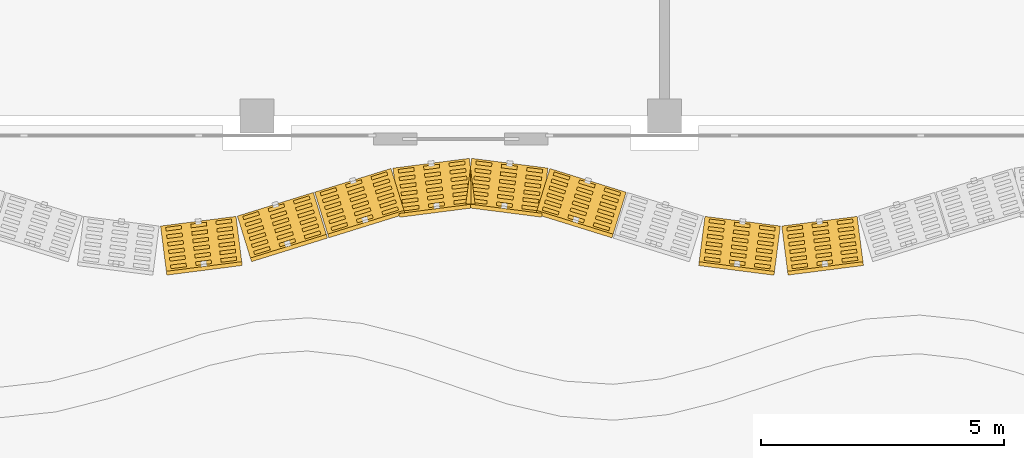
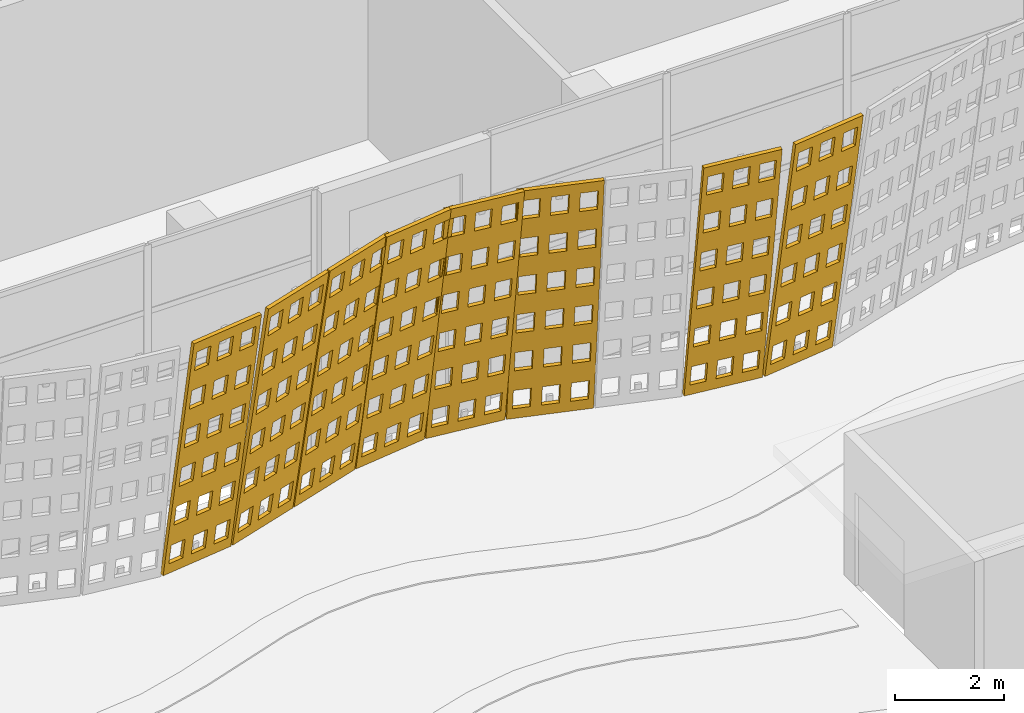
# One storey, part 166 of 210: 8 coverings.
"""IFC4 building model written with IfcOpenShell, lengths in metres."""

import ifcopenshell
import ifcopenshell.guid

model = None  # the IFC model being written
_history = None  # IfcOwnerHistory: only IFC2X3 demands one
_inside = {}  # id of a spatial element -> (the spatial element, [elements in it])
_under = {}  # id of a project, library or spatial element -> (it, [spatial elements below it])
_declared = {}  # id of a project -> (the project, [libraries it declares])
_typed = {}  # id of a type object -> (the type object, [elements of that type])
_made_of = {}  # id of a material, layer set ... -> (it, [elements and type objects made of it])


def new_model(schema):
    """Start an empty IFC model of exactly this schema.

    Asked for "IFC4X3", IfcOpenShell would pick the latest addendum, in which some entities
    have other attributes; the version numbers below select the first issue.
    IFC2X3 requires an IfcOwnerHistory on every rooted entity: one is made here for all.
    """
    global model, _history
    if schema == "IFC4X3":
        model = ifcopenshell.file(schema_version=(4, 3, 0, 0))
    else:
        model = ifcopenshell.file(schema=schema)
    _inside.clear()
    _under.clear()
    _declared.clear()
    _typed.clear()
    _made_of.clear()
    _history = None
    if model.schema == "IFC2X3":
        org = make("IfcOrganization", Name="unknown")
        user = make(
            "IfcPersonAndOrganization",
            ThePerson=make("IfcPerson", FamilyName="unknown"),
            TheOrganization=org,
        )
        app = make(
            "IfcApplication",
            ApplicationDeveloper=org,
            Version="unknown",
            ApplicationFullName="unknown",
            ApplicationIdentifier="unknown",
        )
        _history = make(
            "IfcOwnerHistory",
            OwningUser=user,
            OwningApplication=app,
            ChangeAction="ADDED",
            CreationDate=0,
        )
    return model


def make(cls, **values):
    """One entity of the class cls with the attributes given. An attribute that is None is left unset."""
    return model.create_entity(
        cls, **{name: value for name, value in values.items() if value is not None}
    )


def rooted(cls, **values):
    """An entity with a GlobalId (a new one), such as an element, a storey or a relation."""
    return make(cls, GlobalId=ifcopenshell.guid.new(), OwnerHistory=_history, **values)


def si_unit(unit_type, name, prefix=None):
    """IfcSIUnit, for example si_unit("LENGTHUNIT", "METRE", prefix="MILLI")."""
    return make("IfcSIUnit", UnitType=unit_type, Prefix=prefix, Name=name)


def assignment(units):
    """IfcUnitAssignment: the units of a project."""
    return None if units is None else make("IfcUnitAssignment", Units=units)


def point(xyz):
    """IfcCartesianPoint."""
    return None if xyz is None else make("IfcCartesianPoint", Coordinates=xyz)


def direction(xyz):
    """IfcDirection."""
    return None if xyz is None else make("IfcDirection", DirectionRatios=xyz)


def frame(location, z_axis=None, x_axis=None):
    """IfcAxis2Placement3D, a coordinate frame: its origin and axes. An axis left out is left unset."""
    return make(
        "IfcAxis2Placement3D",
        Location=point(location),
        Axis=direction(z_axis),
        RefDirection=direction(x_axis),
    )


def origin():
    """The frame at (0, 0, 0) with its axes left unset."""
    return frame((0.0, 0.0, 0.0))


def place(relative_to, where):
    """IfcLocalPlacement: puts the frame where relative to a parent placement (None: the world)."""
    return make(
        "IfcLocalPlacement", PlacementRelTo=relative_to, RelativePlacement=where
    )


def context(
    kind, dimensions, precision=None, world=None, true_north=None, identifier=None
):
    """IfcGeometricRepresentationContext, for example the 3D "Model" context."""
    return make(
        "IfcGeometricRepresentationContext",
        ContextIdentifier=identifier,
        ContextType=kind,
        CoordinateSpaceDimension=dimensions,
        Precision=precision,
        WorldCoordinateSystem=world,
        TrueNorth=true_north,
    )


def subcontext(parent, identifier, kind, view, scale=None):
    """IfcGeometricRepresentationSubContext, for example "Body" below "Model"."""
    return make(
        "IfcGeometricRepresentationSubContext",
        ContextIdentifier=identifier,
        ContextType=kind,
        ParentContext=parent,
        TargetScale=scale,
        TargetView=view,
    )


def project(units=None, contexts=None):
    """IfcProject with its units and contexts."""
    return rooted(
        "IfcProject",
        Name="project",
        RepresentationContexts=contexts,
        UnitsInContext=assignment(units),
    )


def spatial(cls, under=None, at=None, **own):
    """A site, building, storey or space (cls), placed at a placement, below another one or the project."""
    s = rooted(cls, ObjectPlacement=at, **own)
    if under is not None:
        _under.setdefault(under.id(), (under, []))[1].append(s)
    return s


def polyline(points):
    """IfcPolyline through the points."""
    return make("IfcPolyline", Points=[point(p) for p in points])


def outline(outer, holes=None, kind="AREA"):
    """IfcArbitraryClosedProfileDef: a profile drawn as a closed curve; with holes, ...WithVoids."""
    if holes is None:
        return make("IfcArbitraryClosedProfileDef", ProfileType=kind, OuterCurve=outer)
    return make(
        "IfcArbitraryProfileDefWithVoids",
        ProfileType=kind,
        OuterCurve=outer,
        InnerCurves=holes,
    )


def extrude(swept, where, along, depth):
    """IfcExtrudedAreaSolid: the profile swept, set in the frame where, extruded along a direction by depth."""
    return make(
        "IfcExtrudedAreaSolid",
        SweptArea=swept,
        Position=where,
        ExtrudedDirection=direction(along),
        Depth=depth,
    )


def shape(context_of_items, identifier, shape_type, items):
    """IfcShapeRepresentation: the items that make up one representation, for example the "Body"."""
    return make(
        "IfcShapeRepresentation",
        ContextOfItems=context_of_items,
        RepresentationIdentifier=identifier,
        RepresentationType=shape_type,
        Items=items,
    )


def material(Name=None, Category=None):
    """IfcMaterial."""
    return make("IfcMaterial", Name=Name, Category=Category)


def layer(
    of_material, thickness, ventilated=None, Name=None, Category=None, Priority=None
):
    """IfcMaterialLayer: one layer of a wall or slab, of a material (None: an air gap)."""
    return make(
        "IfcMaterialLayer",
        Material=of_material,
        LayerThickness=thickness,
        IsVentilated=ventilated,
        Name=Name,
        Category=Category,
        Priority=Priority,
    )


def layer_set(layers, Name=None):
    """IfcMaterialLayerSet."""
    return make("IfcMaterialLayerSet", MaterialLayers=layers, LayerSetName=Name)


def made_of(thing, what):
    """Note that an element or type object is made of a material, layer set ...; save() writes the relation."""
    if what is not None:
        _made_of.setdefault(what.id(), (what, []))[1].append(thing)
    return thing


def type_object(cls, material=None, **own):
    """A type object (cls), such as IfcWallType, which elements share."""
    return made_of(rooted(cls, **own), material)


def element(
    cls,
    number,
    at=None,
    inside=None,
    cuts=None,
    type_object=None,
    material=None,
    context=None,
    identifier="Body",
    shape_type=None,
    held_by="IfcProductDefinitionShape",
    body=None,
    shapes=None,
    **own,
):
    """One element of the class cls, such as IfcWall. Its Tag is "e" and its number.

    at: its placement. inside: the storey or other place that contains it. cuts: it is an
    opening in that element (IfcRelVoidsElement). A single representation is given by context,
    identifier, shape_type and body (its items); several are given by shapes. held_by: the class
    of the entity that holds the representations. save() writes the other relations.
    """
    e = rooted(cls, Tag="e%d" % number, ObjectPlacement=at, **own)
    if body is not None:
        shapes = [shape(context, identifier, shape_type, body)]
    if shapes is not None:
        e.Representation = make(held_by, Representations=shapes)
    if inside is not None:
        _inside.setdefault(inside.id(), (inside, []))[1].append(e)
    if cuts is not None:
        rooted(
            "IfcRelVoidsElement", RelatingBuildingElement=cuts, RelatedOpeningElement=e
        )
    if type_object is not None:
        _typed.setdefault(type_object.id(), (type_object, []))[1].append(e)
    return made_of(e, material)


def aggregate(whole, parts):
    """IfcRelAggregates: a whole, such as a stair, and the parts it consists of."""
    return rooted("IfcRelAggregates", RelatingObject=whole, RelatedObjects=parts)


def save(model, path):
    """Write the relations noted so far, then the file.

    IfcRelAggregates (storeys below a building ...), IfcRelContainedInSpatialStructure (elements
    in a storey), IfcRelDefinesByType, IfcRelAssociatesMaterial and IfcRelDeclares: one each for
    every whole, place, type object, material and project.
    """
    for whole, parts in _under.values():
        aggregate(whole, parts)
    for where, things in _inside.values():
        rooted(
            "IfcRelContainedInSpatialStructure",
            RelatedElements=things,
            RelatingStructure=where,
        )
    for kind, things in _typed.values():
        rooted("IfcRelDefinesByType", RelatedObjects=things, RelatingType=kind)
    for what, things in _made_of.values():
        rooted("IfcRelAssociatesMaterial", RelatedObjects=things, RelatingMaterial=what)
    for by, libraries in _declared.values():
        rooted("IfcRelDeclares", RelatingContext=by, RelatedDefinitions=libraries)
    model.write(path)


model = new_model("IFC4")

# Units and contexts
model_context = context("Model", 3, precision=1e-05, world=origin(), true_north=direction((0.0, 1.0)))
body_context = subcontext(model_context, "Body", "Model", "MODEL_VIEW")
ifc_project = project(units=[si_unit("LENGTHUNIT", "METRE"), si_unit("AREAUNIT", "SQUARE_METRE"), si_unit("VOLUMEUNIT", "CUBIC_METRE"), si_unit("PLANEANGLEUNIT", "RADIAN"), si_unit("MASSUNIT", "GRAM", prefix="KILO")], contexts=[model_context])

# Site, building, storey
site_placement = place(None, origin())
site = spatial("IfcSite", under=ifc_project, at=site_placement, CompositionType="ELEMENT")
building_placement = place(site_placement, origin())
building = spatial("IfcBuilding", under=site, at=building_placement, Name="Rain Tree Exposition and Congress Centre", CompositionType="ELEMENT")
storey_placement = place(building_placement, origin())
storey = spatial("IfcBuildingStorey", under=building, at=storey_placement, Name="L00", CompositionType="ELEMENT", Elevation=0.0)

# Coverings
ifc_material = material(Name="Perforated terracotta", Category="masonry")
ifc_layer = layer(ifc_material, 0.080078125)
ifc_layer_set = layer_set([ifc_layer], Name="Perforated terracotta")
covering_type = type_object("IfcCoveringType", Name="Terracotta screen 80", PredefinedType="CLADDING", material=ifc_layer_set)
covering_1_placement = place(storey_placement, frame((6.39990234375, 73.25, 0.0), z_axis=(-0.125030801275, 0.978899688033, 0.161625182136), x_axis=(-0.991941518713, -0.126696580272, 0.0)))
element("IfcCovering", 1, at=covering_1_placement, inside=storey, type_object=covering_type, Name="concourse/screen/L00/005", PredefinedType="CLADDING", context=body_context, shape_type="SweptSolid", body=[
    extrude(outline(polyline([(-0.025146484375, 0.0), (-1.59130859375, 0.0), (-1.59130859375, 5.813720703125), (-0.025146484375, 5.813720703125), (-0.025146484375, 0.0)]), holes=[polyline([(-0.12451171875, 0.25), (-0.12451171875, 0.718994140625), (-0.447998046875, 0.718994140625), (-0.447998046875, 0.25), (-0.12451171875, 0.25)]), polyline([(-0.12451171875, 1.218994140625), (-0.12451171875, 1.687744140625), (-0.447998046875, 1.687744140625), (-0.447998046875, 1.218994140625), (-0.12451171875, 1.218994140625)]), polyline([(-0.12451171875, 2.18798828125), (-0.12451171875, 2.65673828125), (-0.447998046875, 2.65673828125), (-0.447998046875, 2.18798828125), (-0.12451171875, 2.18798828125)]), polyline([(-0.12451171875, 3.156982421875), (-0.12451171875, 3.625732421875), (-0.447998046875, 3.625732421875), (-0.447998046875, 3.156982421875), (-0.12451171875, 3.156982421875)]), polyline([(-0.12451171875, 4.125732421875), (-0.12451171875, 4.594482421875), (-0.447998046875, 4.594482421875), (-0.447998046875, 4.125732421875), (-0.12451171875, 4.125732421875)]), polyline([(-0.12451171875, 5.0947265625), (-0.12451171875, 5.563720703125), (-0.447998046875, 5.563720703125), (-0.447998046875, 5.0947265625), (-0.12451171875, 5.0947265625)]), polyline([(-0.646484375, 0.25), (-0.646484375, 0.718994140625), (-0.969970703125, 0.718994140625), (-0.969970703125, 0.25), (-0.646484375, 0.25)]), polyline([(-0.646484375, 1.218994140625), (-0.646484375, 1.687744140625), (-0.969970703125, 1.687744140625), (-0.969970703125, 1.218994140625), (-0.646484375, 1.218994140625)]), polyline([(-0.646484375, 2.18798828125), (-0.646484375, 2.65673828125), (-0.969970703125, 2.65673828125), (-0.969970703125, 2.18798828125), (-0.646484375, 2.18798828125)]), polyline([(-0.646484375, 3.156982421875), (-0.646484375, 3.625732421875), (-0.969970703125, 3.625732421875), (-0.969970703125, 3.156982421875), (-0.646484375, 3.156982421875)]), polyline([(-0.646484375, 4.125732421875), (-0.646484375, 4.594482421875), (-0.969970703125, 4.594482421875), (-0.969970703125, 4.125732421875), (-0.646484375, 4.125732421875)]), polyline([(-0.646484375, 5.0947265625), (-0.646484375, 5.563720703125), (-0.969970703125, 5.563720703125), (-0.969970703125, 5.0947265625), (-0.646484375, 5.0947265625)]), polyline([(-1.16845703125, 0.25), (-1.16845703125, 0.718994140625), (-1.491943359375, 0.718994140625), (-1.491943359375, 0.25), (-1.16845703125, 0.25)]), polyline([(-1.16845703125, 1.218994140625), (-1.16845703125, 1.687744140625), (-1.491943359375, 1.687744140625), (-1.491943359375, 1.218994140625), (-1.16845703125, 1.218994140625)]), polyline([(-1.16845703125, 2.18798828125), (-1.16845703125, 2.65673828125), (-1.491943359375, 2.65673828125), (-1.491943359375, 2.18798828125), (-1.16845703125, 2.18798828125)]), polyline([(-1.16845703125, 3.156982421875), (-1.16845703125, 3.625732421875), (-1.491943359375, 3.625732421875), (-1.491943359375, 3.156982421875), (-1.16845703125, 3.156982421875)]), polyline([(-1.16845703125, 4.125732421875), (-1.16845703125, 4.594482421875), (-1.491943359375, 4.594482421875), (-1.491943359375, 4.125732421875), (-1.16845703125, 4.125732421875)]), polyline([(-1.16845703125, 5.0947265625), (-1.16845703125, 5.563720703125), (-1.491943359375, 5.563720703125), (-1.491943359375, 5.0947265625), (-1.16845703125, 5.0947265625)])]), origin(), (0.0, 0.0, 1.0), 0.080078125),
])
covering_2_placement = place(storey_placement, frame((8.0, 73.455078125, 0.0), z_axis=(-0.293072736571, 0.943327870838, 0.155694891303), x_axis=(-0.954973588716, -0.296690823679, 0.0)))
element("IfcCovering", 2, at=covering_2_placement, inside=storey, type_object=covering_type, Name="concourse/screen/L00/006", PredefinedType="CLADDING", context=body_context, shape_type="SweptSolid", body=[
    extrude(outline(polyline([(-0.02197265625, 0.0), (-1.659912109375, 0.0), (-1.659912109375, 5.80859375), (-0.02197265625, 5.80859375), (-0.02197265625, 0.0)]), holes=[polyline([(-0.125732421875, 0.249755859375), (-0.125732421875, 0.71826171875), (-0.464111328125, 0.71826171875), (-0.464111328125, 0.249755859375), (-0.125732421875, 0.249755859375)]), polyline([(-0.125732421875, 1.218017578125), (-0.125732421875, 1.686279296875), (-0.464111328125, 1.686279296875), (-0.464111328125, 1.218017578125), (-0.125732421875, 1.218017578125)]), polyline([(-0.125732421875, 2.18603515625), (-0.125732421875, 2.654541015625), (-0.464111328125, 2.654541015625), (-0.464111328125, 2.18603515625), (-0.125732421875, 2.18603515625)]), polyline([(-0.125732421875, 3.154052734375), (-0.125732421875, 3.62255859375), (-0.464111328125, 3.62255859375), (-0.464111328125, 3.154052734375), (-0.125732421875, 3.154052734375)]), polyline([(-0.125732421875, 4.122314453125), (-0.125732421875, 4.5908203125), (-0.464111328125, 4.5908203125), (-0.464111328125, 4.122314453125), (-0.125732421875, 4.122314453125)]), polyline([(-0.125732421875, 5.09033203125), (-0.125732421875, 5.558837890625), (-0.464111328125, 5.558837890625), (-0.464111328125, 5.09033203125), (-0.125732421875, 5.09033203125)]), polyline([(-0.671630859375, 0.249755859375), (-0.671630859375, 0.71826171875), (-1.010009765625, 0.71826171875), (-1.010009765625, 0.249755859375), (-0.671630859375, 0.249755859375)]), polyline([(-0.671630859375, 1.218017578125), (-0.671630859375, 1.686279296875), (-1.010009765625, 1.686279296875), (-1.010009765625, 1.218017578125), (-0.671630859375, 1.218017578125)]), polyline([(-0.671630859375, 2.18603515625), (-0.671630859375, 2.654541015625), (-1.010009765625, 2.654541015625), (-1.010009765625, 2.18603515625), (-0.671630859375, 2.18603515625)]), polyline([(-0.671630859375, 3.154052734375), (-0.671630859375, 3.62255859375), (-1.010009765625, 3.62255859375), (-1.010009765625, 3.154052734375), (-0.671630859375, 3.154052734375)]), polyline([(-0.671630859375, 4.122314453125), (-0.671630859375, 4.5908203125), (-1.010009765625, 4.5908203125), (-1.010009765625, 4.122314453125), (-0.671630859375, 4.122314453125)]), polyline([(-0.671630859375, 5.09033203125), (-0.671630859375, 5.558837890625), (-1.010009765625, 5.558837890625), (-1.010009765625, 5.09033203125), (-0.671630859375, 5.09033203125)]), polyline([(-1.217529296875, 0.249755859375), (-1.217529296875, 0.71826171875), (-1.55615234375, 0.71826171875), (-1.55615234375, 0.249755859375), (-1.217529296875, 0.249755859375)]), polyline([(-1.217529296875, 1.218017578125), (-1.217529296875, 1.686279296875), (-1.55615234375, 1.686279296875), (-1.55615234375, 1.218017578125), (-1.217529296875, 1.218017578125)]), polyline([(-1.217529296875, 2.18603515625), (-1.217529296875, 2.654541015625), (-1.55615234375, 2.654541015625), (-1.55615234375, 2.18603515625), (-1.217529296875, 2.18603515625)]), polyline([(-1.217529296875, 3.154052734375), (-1.217529296875, 3.62255859375), (-1.55615234375, 3.62255859375), (-1.55615234375, 3.154052734375), (-1.217529296875, 3.154052734375)]), polyline([(-1.217529296875, 4.122314453125), (-1.217529296875, 4.5908203125), (-1.55615234375, 4.5908203125), (-1.55615234375, 4.122314453125), (-1.217529296875, 4.122314453125)]), polyline([(-1.217529296875, 5.09033203125), (-1.217529296875, 5.558837890625), (-1.55615234375, 5.558837890625), (-1.55615234375, 5.09033203125), (-1.217529296875, 5.09033203125)])]), origin(), (0.0, 0.0, 1.0), 0.080078125),
])
covering_3_placement = place(storey_placement, frame((9.60009765625, 73.949951171875, 0.0), z_axis=(-0.293072736571, 0.943327870838, 0.155694891303), x_axis=(-0.954973588716, -0.296690823679, 0.0)))
element("IfcCovering", 3, at=covering_3_placement, inside=storey, type_object=covering_type, Name="concourse/screen/L00/007", PredefinedType="CLADDING", context=body_context, shape_type="SweptSolid", body=[
    extrude(outline(polyline([(-0.014892578125, 0.0), (-1.659912109375, 0.0), (-1.659912109375, 5.80859375), (-0.014892578125, 5.80859375), (-0.014892578125, 0.0)]), holes=[polyline([(-0.119140625, 0.249755859375), (-0.119140625, 0.71826171875), (-0.458984375, 0.71826171875), (-0.458984375, 0.249755859375), (-0.119140625, 0.249755859375)]), polyline([(-0.119140625, 1.218017578125), (-0.119140625, 1.686279296875), (-0.458984375, 1.686279296875), (-0.458984375, 1.218017578125), (-0.119140625, 1.218017578125)]), polyline([(-0.119140625, 2.18603515625), (-0.119140625, 2.654541015625), (-0.458984375, 2.654541015625), (-0.458984375, 2.18603515625), (-0.119140625, 2.18603515625)]), polyline([(-0.119140625, 3.154052734375), (-0.119140625, 3.62255859375), (-0.458984375, 3.62255859375), (-0.458984375, 3.154052734375), (-0.119140625, 3.154052734375)]), polyline([(-0.119140625, 4.122314453125), (-0.119140625, 4.5908203125), (-0.458984375, 4.5908203125), (-0.458984375, 4.122314453125), (-0.119140625, 4.122314453125)]), polyline([(-0.119140625, 5.09033203125), (-0.119140625, 5.558837890625), (-0.458984375, 5.558837890625), (-0.458984375, 5.09033203125), (-0.119140625, 5.09033203125)]), polyline([(-0.66748046875, 0.249755859375), (-0.66748046875, 0.71826171875), (-1.00732421875, 0.71826171875), (-1.00732421875, 0.249755859375), (-0.66748046875, 0.249755859375)]), polyline([(-0.66748046875, 1.218017578125), (-0.66748046875, 1.686279296875), (-1.00732421875, 1.686279296875), (-1.00732421875, 1.218017578125), (-0.66748046875, 1.218017578125)]), polyline([(-0.66748046875, 2.18603515625), (-0.66748046875, 2.654541015625), (-1.00732421875, 2.654541015625), (-1.00732421875, 2.18603515625), (-0.66748046875, 2.18603515625)]), polyline([(-0.66748046875, 3.154052734375), (-0.66748046875, 3.62255859375), (-1.00732421875, 3.62255859375), (-1.00732421875, 3.154052734375), (-0.66748046875, 3.154052734375)]), polyline([(-0.66748046875, 4.122314453125), (-0.66748046875, 4.5908203125), (-1.00732421875, 4.5908203125), (-1.00732421875, 4.122314453125), (-0.66748046875, 4.122314453125)]), polyline([(-0.66748046875, 5.09033203125), (-0.66748046875, 5.558837890625), (-1.00732421875, 5.558837890625), (-1.00732421875, 5.09033203125), (-0.66748046875, 5.09033203125)]), polyline([(-1.2158203125, 0.249755859375), (-1.2158203125, 0.71826171875), (-1.5556640625, 0.71826171875), (-1.5556640625, 0.249755859375), (-1.2158203125, 0.249755859375)]), polyline([(-1.2158203125, 1.218017578125), (-1.2158203125, 1.686279296875), (-1.5556640625, 1.686279296875), (-1.5556640625, 1.218017578125), (-1.2158203125, 1.218017578125)]), polyline([(-1.2158203125, 2.18603515625), (-1.2158203125, 2.654541015625), (-1.5556640625, 2.654541015625), (-1.5556640625, 2.18603515625), (-1.2158203125, 2.18603515625)]), polyline([(-1.2158203125, 3.154052734375), (-1.2158203125, 3.62255859375), (-1.5556640625, 3.62255859375), (-1.5556640625, 3.154052734375), (-1.2158203125, 3.154052734375)]), polyline([(-1.2158203125, 4.122314453125), (-1.2158203125, 4.5908203125), (-1.5556640625, 4.5908203125), (-1.5556640625, 4.122314453125), (-1.2158203125, 4.122314453125)]), polyline([(-1.2158203125, 5.09033203125), (-1.2158203125, 5.558837890625), (-1.5556640625, 5.558837890625), (-1.5556640625, 5.09033203125), (-1.2158203125, 5.09033203125)])]), origin(), (0.0, 0.0, 1.0), 0.080078125),
])
covering_4_placement = place(storey_placement, frame((11.199951171875, 74.445068359375, 0.0), z_axis=(-0.125405134464, 0.978771781185, 0.162109076259), x_axis=(-0.991891686382, -0.127086122318, 0.0)))
element("IfcCovering", 4, at=covering_4_placement, inside=storey, type_object=covering_type, Name="concourse/screen/L00/008", PredefinedType="CLADDING", context=body_context, shape_type="SweptSolid", body=[
    extrude(outline(polyline([(-0.014892578125, 0.0), (-1.59814453125, 0.0), (-1.59814453125, 5.813720703125), (-0.014892578125, 5.813720703125), (-0.014892578125, 0.0)]), holes=[polyline([(-0.115234375, 0.25), (-0.115234375, 0.718994140625), (-0.4423828125, 0.718994140625), (-0.4423828125, 0.25), (-0.115234375, 0.25)]), polyline([(-0.115234375, 1.218994140625), (-0.115234375, 1.687744140625), (-0.4423828125, 1.687744140625), (-0.4423828125, 1.218994140625), (-0.115234375, 1.218994140625)]), polyline([(-0.115234375, 2.18798828125), (-0.115234375, 2.65673828125), (-0.4423828125, 2.65673828125), (-0.4423828125, 2.18798828125), (-0.115234375, 2.18798828125)]), polyline([(-0.115234375, 3.156982421875), (-0.115234375, 3.625732421875), (-0.4423828125, 3.625732421875), (-0.4423828125, 3.156982421875), (-0.115234375, 3.156982421875)]), polyline([(-0.115234375, 4.125732421875), (-0.115234375, 4.594482421875), (-0.4423828125, 4.594482421875), (-0.4423828125, 4.125732421875), (-0.115234375, 4.125732421875)]), polyline([(-0.115234375, 5.0947265625), (-0.115234375, 5.563720703125), (-0.4423828125, 5.563720703125), (-0.4423828125, 5.0947265625), (-0.115234375, 5.0947265625)]), polyline([(-0.64306640625, 0.25), (-0.64306640625, 0.718994140625), (-0.97021484375, 0.718994140625), (-0.97021484375, 0.25), (-0.64306640625, 0.25)]), polyline([(-0.64306640625, 1.218994140625), (-0.64306640625, 1.687744140625), (-0.97021484375, 1.687744140625), (-0.97021484375, 1.218994140625), (-0.64306640625, 1.218994140625)]), polyline([(-0.64306640625, 2.18798828125), (-0.64306640625, 2.65673828125), (-0.97021484375, 2.65673828125), (-0.97021484375, 2.18798828125), (-0.64306640625, 2.18798828125)]), polyline([(-0.64306640625, 3.156982421875), (-0.64306640625, 3.625732421875), (-0.97021484375, 3.625732421875), (-0.97021484375, 3.156982421875), (-0.64306640625, 3.156982421875)]), polyline([(-0.64306640625, 4.125732421875), (-0.64306640625, 4.594482421875), (-0.97021484375, 4.594482421875), (-0.97021484375, 4.125732421875), (-0.64306640625, 4.125732421875)]), polyline([(-0.64306640625, 5.0947265625), (-0.64306640625, 5.563720703125), (-0.97021484375, 5.563720703125), (-0.97021484375, 5.0947265625), (-0.64306640625, 5.0947265625)]), polyline([(-1.170654296875, 0.25), (-1.170654296875, 0.718994140625), (-1.497802734375, 0.718994140625), (-1.497802734375, 0.25), (-1.170654296875, 0.25)]), polyline([(-1.170654296875, 1.218994140625), (-1.170654296875, 1.687744140625), (-1.497802734375, 1.687744140625), (-1.497802734375, 1.218994140625), (-1.170654296875, 1.218994140625)]), polyline([(-1.170654296875, 2.18798828125), (-1.170654296875, 2.65673828125), (-1.497802734375, 2.65673828125), (-1.497802734375, 2.18798828125), (-1.170654296875, 2.18798828125)]), polyline([(-1.170654296875, 3.156982421875), (-1.170654296875, 3.625732421875), (-1.497802734375, 3.625732421875), (-1.497802734375, 3.156982421875), (-1.170654296875, 3.156982421875)]), polyline([(-1.170654296875, 4.125732421875), (-1.170654296875, 4.594482421875), (-1.497802734375, 4.594482421875), (-1.497802734375, 4.125732421875), (-1.170654296875, 4.125732421875)]), polyline([(-1.170654296875, 5.0947265625), (-1.170654296875, 5.563720703125), (-1.497802734375, 5.563720703125), (-1.497802734375, 5.0947265625), (-1.170654296875, 5.0947265625)])]), origin(), (0.0, 0.0, 1.0), 0.079833984375),
])
covering_5_placement = place(storey_placement, frame((12.800048828125, 74.64990234375, 0.0), z_axis=(0.125030801275, 0.978899688033, 0.161625182136), x_axis=(-0.991941518713, 0.126696580272, 0.0)))
element("IfcCovering", 5, at=covering_5_placement, inside=storey, type_object=covering_type, Name="concourse/screen/L00/009", PredefinedType="CLADDING", context=body_context, shape_type="SweptSolid", body=[
    extrude(outline(polyline([(-0.014892578125, 0.0), (-1.59814453125, 0.0), (-1.59814453125, 5.813720703125), (-0.014892578125, 5.813720703125), (-0.014892578125, 0.0)]), holes=[polyline([(-0.115234375, 0.25), (-0.115234375, 0.718994140625), (-0.4423828125, 0.718994140625), (-0.4423828125, 0.25), (-0.115234375, 0.25)]), polyline([(-0.115234375, 1.218994140625), (-0.115234375, 1.687744140625), (-0.4423828125, 1.687744140625), (-0.4423828125, 1.218994140625), (-0.115234375, 1.218994140625)]), polyline([(-0.115234375, 2.18798828125), (-0.115234375, 2.65673828125), (-0.4423828125, 2.65673828125), (-0.4423828125, 2.18798828125), (-0.115234375, 2.18798828125)]), polyline([(-0.115234375, 3.156982421875), (-0.115234375, 3.625732421875), (-0.4423828125, 3.625732421875), (-0.4423828125, 3.156982421875), (-0.115234375, 3.156982421875)]), polyline([(-0.115234375, 4.125732421875), (-0.115234375, 4.594482421875), (-0.4423828125, 4.594482421875), (-0.4423828125, 4.125732421875), (-0.115234375, 4.125732421875)]), polyline([(-0.115234375, 5.0947265625), (-0.115234375, 5.563720703125), (-0.4423828125, 5.563720703125), (-0.4423828125, 5.0947265625), (-0.115234375, 5.0947265625)]), polyline([(-0.64306640625, 0.25), (-0.64306640625, 0.718994140625), (-0.97021484375, 0.718994140625), (-0.97021484375, 0.25), (-0.64306640625, 0.25)]), polyline([(-0.64306640625, 1.218994140625), (-0.64306640625, 1.687744140625), (-0.97021484375, 1.687744140625), (-0.97021484375, 1.218994140625), (-0.64306640625, 1.218994140625)]), polyline([(-0.64306640625, 2.18798828125), (-0.64306640625, 2.65673828125), (-0.97021484375, 2.65673828125), (-0.97021484375, 2.18798828125), (-0.64306640625, 2.18798828125)]), polyline([(-0.64306640625, 3.156982421875), (-0.64306640625, 3.625732421875), (-0.97021484375, 3.625732421875), (-0.97021484375, 3.156982421875), (-0.64306640625, 3.156982421875)]), polyline([(-0.64306640625, 4.125732421875), (-0.64306640625, 4.594482421875), (-0.97021484375, 4.594482421875), (-0.97021484375, 4.125732421875), (-0.64306640625, 4.125732421875)]), polyline([(-0.64306640625, 5.0947265625), (-0.64306640625, 5.563720703125), (-0.97021484375, 5.563720703125), (-0.97021484375, 5.0947265625), (-0.64306640625, 5.0947265625)]), polyline([(-1.170654296875, 0.25), (-1.170654296875, 0.718994140625), (-1.497802734375, 0.718994140625), (-1.497802734375, 0.25), (-1.170654296875, 0.25)]), polyline([(-1.170654296875, 1.218994140625), (-1.170654296875, 1.687744140625), (-1.497802734375, 1.687744140625), (-1.497802734375, 1.218994140625), (-1.170654296875, 1.218994140625)]), polyline([(-1.170654296875, 2.18798828125), (-1.170654296875, 2.65673828125), (-1.497802734375, 2.65673828125), (-1.497802734375, 2.18798828125), (-1.170654296875, 2.18798828125)]), polyline([(-1.170654296875, 3.156982421875), (-1.170654296875, 3.625732421875), (-1.497802734375, 3.625732421875), (-1.497802734375, 3.156982421875), (-1.170654296875, 3.156982421875)]), polyline([(-1.170654296875, 4.125732421875), (-1.170654296875, 4.594482421875), (-1.497802734375, 4.594482421875), (-1.497802734375, 4.125732421875), (-1.170654296875, 4.125732421875)]), polyline([(-1.170654296875, 5.0947265625), (-1.170654296875, 5.563720703125), (-1.497802734375, 5.563720703125), (-1.497802734375, 5.0947265625), (-1.170654296875, 5.0947265625)])]), origin(), (0.0, 0.0, 1.0), 0.080078125),
])
covering_6_placement = place(storey_placement, frame((14.39990234375, 74.445068359375, 0.0), z_axis=(0.293072736571, 0.943327870838, 0.155694891303), x_axis=(-0.954973588716, 0.296690823679, 0.0)))
element("IfcCovering", 6, at=covering_6_placement, inside=storey, type_object=covering_type, Name="concourse/screen/L00/010", PredefinedType="CLADDING", context=body_context, shape_type="SweptSolid", body=[
    extrude(outline(polyline([(-0.014892578125, 0.0), (-1.659912109375, 0.0), (-1.659912109375, 5.80859375), (-0.014892578125, 5.80859375), (-0.014892578125, 0.0)]), holes=[polyline([(-0.119140625, 0.249755859375), (-0.119140625, 0.71826171875), (-0.458984375, 0.71826171875), (-0.458984375, 0.249755859375), (-0.119140625, 0.249755859375)]), polyline([(-0.119140625, 1.218017578125), (-0.119140625, 1.686279296875), (-0.458984375, 1.686279296875), (-0.458984375, 1.218017578125), (-0.119140625, 1.218017578125)]), polyline([(-0.119140625, 2.18603515625), (-0.119140625, 2.654541015625), (-0.458984375, 2.654541015625), (-0.458984375, 2.18603515625), (-0.119140625, 2.18603515625)]), polyline([(-0.119140625, 3.154052734375), (-0.119140625, 3.62255859375), (-0.458984375, 3.62255859375), (-0.458984375, 3.154052734375), (-0.119140625, 3.154052734375)]), polyline([(-0.119140625, 4.122314453125), (-0.119140625, 4.5908203125), (-0.458984375, 4.5908203125), (-0.458984375, 4.122314453125), (-0.119140625, 4.122314453125)]), polyline([(-0.119140625, 5.09033203125), (-0.119140625, 5.558837890625), (-0.458984375, 5.558837890625), (-0.458984375, 5.09033203125), (-0.119140625, 5.09033203125)]), polyline([(-0.66748046875, 0.249755859375), (-0.66748046875, 0.71826171875), (-1.00732421875, 0.71826171875), (-1.00732421875, 0.249755859375), (-0.66748046875, 0.249755859375)]), polyline([(-0.66748046875, 1.218017578125), (-0.66748046875, 1.686279296875), (-1.00732421875, 1.686279296875), (-1.00732421875, 1.218017578125), (-0.66748046875, 1.218017578125)]), polyline([(-0.66748046875, 2.18603515625), (-0.66748046875, 2.654541015625), (-1.00732421875, 2.654541015625), (-1.00732421875, 2.18603515625), (-0.66748046875, 2.18603515625)]), polyline([(-0.66748046875, 3.154052734375), (-0.66748046875, 3.62255859375), (-1.00732421875, 3.62255859375), (-1.00732421875, 3.154052734375), (-0.66748046875, 3.154052734375)]), polyline([(-0.66748046875, 4.122314453125), (-0.66748046875, 4.5908203125), (-1.00732421875, 4.5908203125), (-1.00732421875, 4.122314453125), (-0.66748046875, 4.122314453125)]), polyline([(-0.66748046875, 5.09033203125), (-0.66748046875, 5.558837890625), (-1.00732421875, 5.558837890625), (-1.00732421875, 5.09033203125), (-0.66748046875, 5.09033203125)]), polyline([(-1.2158203125, 0.249755859375), (-1.2158203125, 0.71826171875), (-1.5556640625, 0.71826171875), (-1.5556640625, 0.249755859375), (-1.2158203125, 0.249755859375)]), polyline([(-1.2158203125, 1.218017578125), (-1.2158203125, 1.686279296875), (-1.5556640625, 1.686279296875), (-1.5556640625, 1.218017578125), (-1.2158203125, 1.218017578125)]), polyline([(-1.2158203125, 2.18603515625), (-1.2158203125, 2.654541015625), (-1.5556640625, 2.654541015625), (-1.5556640625, 2.18603515625), (-1.2158203125, 2.18603515625)]), polyline([(-1.2158203125, 3.154052734375), (-1.2158203125, 3.62255859375), (-1.5556640625, 3.62255859375), (-1.5556640625, 3.154052734375), (-1.2158203125, 3.154052734375)]), polyline([(-1.2158203125, 4.122314453125), (-1.2158203125, 4.5908203125), (-1.5556640625, 4.5908203125), (-1.5556640625, 4.122314453125), (-1.2158203125, 4.122314453125)]), polyline([(-1.2158203125, 5.09033203125), (-1.2158203125, 5.558837890625), (-1.5556640625, 5.558837890625), (-1.5556640625, 5.09033203125), (-1.2158203125, 5.09033203125)])]), origin(), (0.0, 0.0, 1.0), 0.080078125),
])
covering_7_placement = place(storey_placement, frame((17.60009765625, 73.455078125, 0.0), z_axis=(0.125405134464, 0.978771781185, 0.162109076259), x_axis=(-0.991891686382, 0.127086122318, 0.0)))
element("IfcCovering", 7, at=covering_7_placement, inside=storey, type_object=covering_type, Name="concourse/screen/L00/012", PredefinedType="CLADDING", context=body_context, shape_type="SweptSolid", body=[
    extrude(outline(polyline([(-0.02197265625, 0.0), (-1.587890625, 0.0), (-1.587890625, 5.813720703125), (-0.02197265625, 5.813720703125), (-0.02197265625, 0.0)]), holes=[polyline([(-0.12109375, 0.25), (-0.12109375, 0.718994140625), (-0.444580078125, 0.718994140625), (-0.444580078125, 0.25), (-0.12109375, 0.25)]), polyline([(-0.12109375, 1.218994140625), (-0.12109375, 1.687744140625), (-0.444580078125, 1.687744140625), (-0.444580078125, 1.218994140625), (-0.12109375, 1.218994140625)]), polyline([(-0.12109375, 2.18798828125), (-0.12109375, 2.65673828125), (-0.444580078125, 2.65673828125), (-0.444580078125, 2.18798828125), (-0.12109375, 2.18798828125)]), polyline([(-0.12109375, 3.156982421875), (-0.12109375, 3.625732421875), (-0.444580078125, 3.625732421875), (-0.444580078125, 3.156982421875), (-0.12109375, 3.156982421875)]), polyline([(-0.12109375, 4.125732421875), (-0.12109375, 4.594482421875), (-0.444580078125, 4.594482421875), (-0.444580078125, 4.125732421875), (-0.12109375, 4.125732421875)]), polyline([(-0.12109375, 5.0947265625), (-0.12109375, 5.563720703125), (-0.444580078125, 5.563720703125), (-0.444580078125, 5.0947265625), (-0.12109375, 5.0947265625)]), polyline([(-0.64306640625, 0.25), (-0.64306640625, 0.718994140625), (-0.966796875, 0.718994140625), (-0.966796875, 0.25), (-0.64306640625, 0.25)]), polyline([(-0.64306640625, 1.218994140625), (-0.64306640625, 1.687744140625), (-0.966796875, 1.687744140625), (-0.966796875, 1.218994140625), (-0.64306640625, 1.218994140625)]), polyline([(-0.64306640625, 2.18798828125), (-0.64306640625, 2.65673828125), (-0.966796875, 2.65673828125), (-0.966796875, 2.18798828125), (-0.64306640625, 2.18798828125)]), polyline([(-0.64306640625, 3.156982421875), (-0.64306640625, 3.625732421875), (-0.966796875, 3.625732421875), (-0.966796875, 3.156982421875), (-0.64306640625, 3.156982421875)]), polyline([(-0.64306640625, 4.125732421875), (-0.64306640625, 4.594482421875), (-0.966796875, 4.594482421875), (-0.966796875, 4.125732421875), (-0.64306640625, 4.125732421875)]), polyline([(-0.64306640625, 5.0947265625), (-0.64306640625, 5.563720703125), (-0.966796875, 5.563720703125), (-0.966796875, 5.0947265625), (-0.64306640625, 5.0947265625)]), polyline([(-1.1650390625, 0.25), (-1.1650390625, 0.718994140625), (-1.48876953125, 0.718994140625), (-1.48876953125, 0.25), (-1.1650390625, 0.25)]), polyline([(-1.1650390625, 1.218994140625), (-1.1650390625, 1.687744140625), (-1.48876953125, 1.687744140625), (-1.48876953125, 1.218994140625), (-1.1650390625, 1.218994140625)]), polyline([(-1.1650390625, 2.18798828125), (-1.1650390625, 2.65673828125), (-1.48876953125, 2.65673828125), (-1.48876953125, 2.18798828125), (-1.1650390625, 2.18798828125)]), polyline([(-1.1650390625, 3.156982421875), (-1.1650390625, 3.625732421875), (-1.48876953125, 3.625732421875), (-1.48876953125, 3.156982421875), (-1.1650390625, 3.156982421875)]), polyline([(-1.1650390625, 4.125732421875), (-1.1650390625, 4.594482421875), (-1.48876953125, 4.594482421875), (-1.48876953125, 4.125732421875), (-1.1650390625, 4.125732421875)]), polyline([(-1.1650390625, 5.0947265625), (-1.1650390625, 5.563720703125), (-1.48876953125, 5.563720703125), (-1.48876953125, 5.0947265625), (-1.1650390625, 5.0947265625)])]), origin(), (0.0, 0.0, 1.0), 0.079833984375),
])
covering_8_placement = place(storey_placement, frame((19.199951171875, 73.25, 0.0), z_axis=(-0.125030801275, 0.978899688033, 0.161625182136), x_axis=(-0.991941518713, -0.126696580272, 0.0)))
element("IfcCovering", 8, at=covering_8_placement, inside=storey, type_object=covering_type, Name="concourse/screen/L00/013", PredefinedType="CLADDING", context=body_context, shape_type="SweptSolid", body=[
    extrude(outline(polyline([(-0.025146484375, 0.0), (-1.59130859375, 0.0), (-1.59130859375, 5.813720703125), (-0.025146484375, 5.813720703125), (-0.025146484375, 0.0)]), holes=[polyline([(-0.12451171875, 0.25), (-0.12451171875, 0.718994140625), (-0.447998046875, 0.718994140625), (-0.447998046875, 0.25), (-0.12451171875, 0.25)]), polyline([(-0.12451171875, 1.218994140625), (-0.12451171875, 1.687744140625), (-0.447998046875, 1.687744140625), (-0.447998046875, 1.218994140625), (-0.12451171875, 1.218994140625)]), polyline([(-0.12451171875, 2.18798828125), (-0.12451171875, 2.65673828125), (-0.447998046875, 2.65673828125), (-0.447998046875, 2.18798828125), (-0.12451171875, 2.18798828125)]), polyline([(-0.12451171875, 3.156982421875), (-0.12451171875, 3.625732421875), (-0.447998046875, 3.625732421875), (-0.447998046875, 3.156982421875), (-0.12451171875, 3.156982421875)]), polyline([(-0.12451171875, 4.125732421875), (-0.12451171875, 4.594482421875), (-0.447998046875, 4.594482421875), (-0.447998046875, 4.125732421875), (-0.12451171875, 4.125732421875)]), polyline([(-0.12451171875, 5.0947265625), (-0.12451171875, 5.563720703125), (-0.447998046875, 5.563720703125), (-0.447998046875, 5.0947265625), (-0.12451171875, 5.0947265625)]), polyline([(-0.646484375, 0.25), (-0.646484375, 0.718994140625), (-0.969970703125, 0.718994140625), (-0.969970703125, 0.25), (-0.646484375, 0.25)]), polyline([(-0.646484375, 1.218994140625), (-0.646484375, 1.687744140625), (-0.969970703125, 1.687744140625), (-0.969970703125, 1.218994140625), (-0.646484375, 1.218994140625)]), polyline([(-0.646484375, 2.18798828125), (-0.646484375, 2.65673828125), (-0.969970703125, 2.65673828125), (-0.969970703125, 2.18798828125), (-0.646484375, 2.18798828125)]), polyline([(-0.646484375, 3.156982421875), (-0.646484375, 3.625732421875), (-0.969970703125, 3.625732421875), (-0.969970703125, 3.156982421875), (-0.646484375, 3.156982421875)]), polyline([(-0.646484375, 4.125732421875), (-0.646484375, 4.594482421875), (-0.969970703125, 4.594482421875), (-0.969970703125, 4.125732421875), (-0.646484375, 4.125732421875)]), polyline([(-0.646484375, 5.0947265625), (-0.646484375, 5.563720703125), (-0.969970703125, 5.563720703125), (-0.969970703125, 5.0947265625), (-0.646484375, 5.0947265625)]), polyline([(-1.16845703125, 0.25), (-1.16845703125, 0.718994140625), (-1.491943359375, 0.718994140625), (-1.491943359375, 0.25), (-1.16845703125, 0.25)]), polyline([(-1.16845703125, 1.218994140625), (-1.16845703125, 1.687744140625), (-1.491943359375, 1.687744140625), (-1.491943359375, 1.218994140625), (-1.16845703125, 1.218994140625)]), polyline([(-1.16845703125, 2.18798828125), (-1.16845703125, 2.65673828125), (-1.491943359375, 2.65673828125), (-1.491943359375, 2.18798828125), (-1.16845703125, 2.18798828125)]), polyline([(-1.16845703125, 3.156982421875), (-1.16845703125, 3.625732421875), (-1.491943359375, 3.625732421875), (-1.491943359375, 3.156982421875), (-1.16845703125, 3.156982421875)]), polyline([(-1.16845703125, 4.125732421875), (-1.16845703125, 4.594482421875), (-1.491943359375, 4.594482421875), (-1.491943359375, 4.125732421875), (-1.16845703125, 4.125732421875)]), polyline([(-1.16845703125, 5.0947265625), (-1.16845703125, 5.563720703125), (-1.491943359375, 5.563720703125), (-1.491943359375, 5.0947265625), (-1.16845703125, 5.0947265625)])]), origin(), (0.0, 0.0, 1.0), 0.080078125),
])

save(model, "model.ifc")
